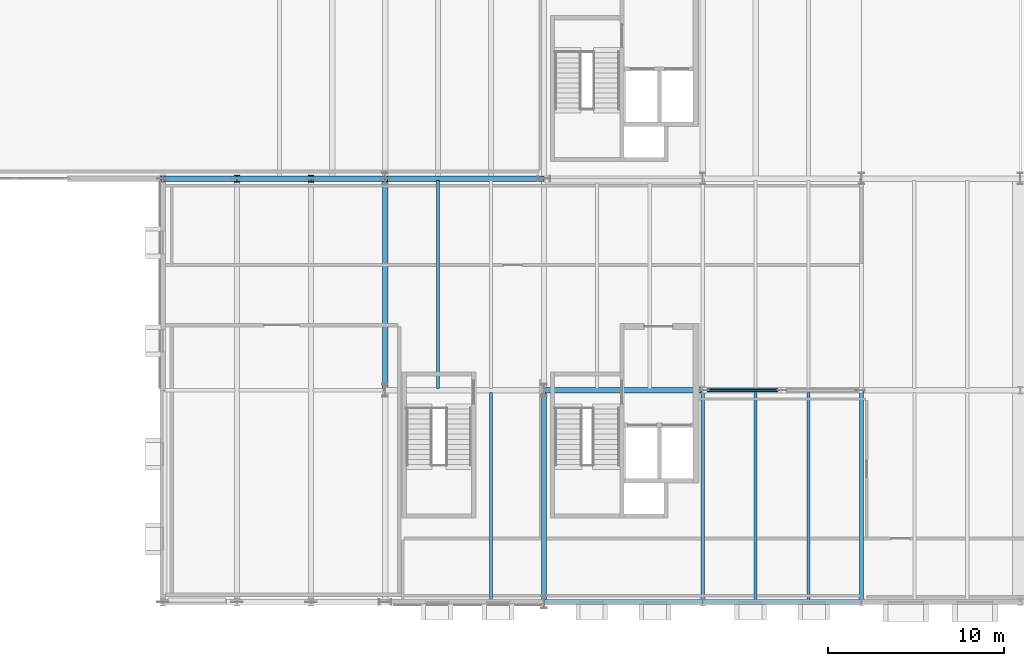
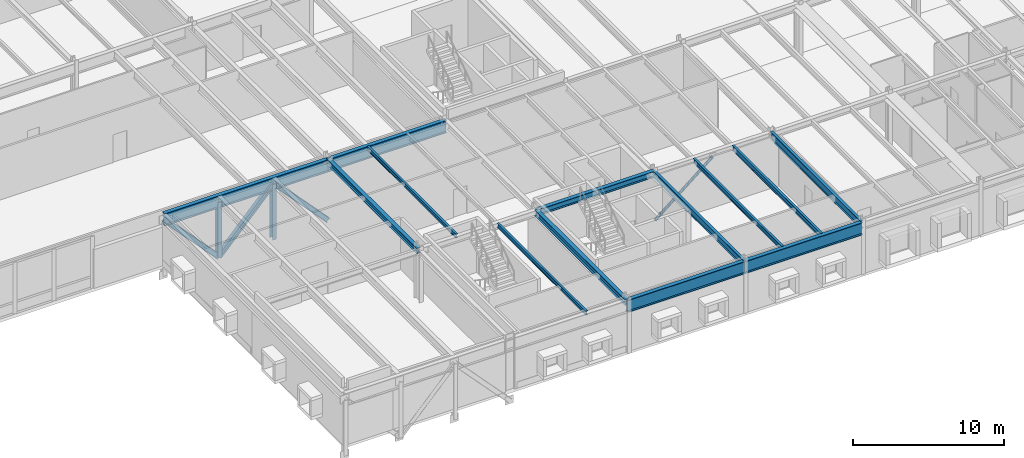
# One storey, part 18 of 115: 13 beams, 6 members.
"""IFC4 building model written with IfcOpenShell, lengths in metres."""

from ifc_helpers import new_model, si_unit, direction, frame, origin, origin_2d, place, context, subcontext, project, spatial, hollow_circle, i_section, extrude, material, material_profile, profile_set, type_object, element, save


model = new_model("IFC4")

# Units and contexts
model_context = context("Model", 3, precision=1e-05, world=origin(), true_north=direction((0.0, 1.0)))
body_context = subcontext(model_context, "Body", "Model", "MODEL_VIEW")
ifc_project = project(units=[si_unit("LENGTHUNIT", "METRE"), si_unit("AREAUNIT", "SQUARE_METRE"), si_unit("VOLUMEUNIT", "CUBIC_METRE"), si_unit("PLANEANGLEUNIT", "RADIAN"), si_unit("MASSUNIT", "GRAM", prefix="KILO")], contexts=[model_context])

# Site, building, storey
site_placement = place(None, origin())
site = spatial("IfcSite", under=ifc_project, at=site_placement, CompositionType="ELEMENT")
building_placement = place(site_placement, origin())
building = spatial("IfcBuilding", under=site, at=building_placement, Name="Montelvaro Courts of Justice", CompositionType="ELEMENT")
storey_placement = place(building_placement, frame((0.0, 0.0, 9.89990234375)))
storey = spatial("IfcBuildingStorey", under=building, at=storey_placement, Name="L02", CompositionType="ELEMENT", Elevation=9.89990234375)

# Beams
ifc_material = material(Name="Steel S355", Category="steel")
ifc_material_profile_1 = material_profile(ifc_material, i_section(OverallWidth=0.300048828125, OverallDepth=0.43994140625, WebThickness=0.011474609375, FlangeThickness=0.02099609375, at=origin_2d()), Name="HEA 450")
ifc_profile_set_1 = profile_set([ifc_material_profile_1], Name="Steel S355")
beam_type_1 = type_object("IfcBeamType", Name="Beam_HEA450", PredefinedType="USERDEFINED", material=ifc_profile_set_1)
beam_1_placement = place(storey_placement, frame((45.0, 12.0, 3.960205078125), z_axis=(0.0, 1.0, 0.0), x_axis=(-1.0, 0.0, 0.0)))
element("IfcBeam", 1, at=beam_1_placement, inside=storey, type_object=beam_type_1, Name="Beam B-18 L02", ObjectType="GIRDER", PredefinedType="USERDEFINED", context=body_context, shape_type="SweptSolid", body=[
    extrude(i_section(OverallWidth=0.300048828125, OverallDepth=0.43994140625, WebThickness=0.011474609375, FlangeThickness=0.02099609375, at=origin_2d()), origin(), (0.0, 0.0, 1.0), 12.0),
])
ifc_material_profile_2 = material_profile(ifc_material, i_section(OverallWidth=0.300048828125, OverallDepth=0.489990234375, WebThickness=0.011962890625, FlangeThickness=0.02294921875, at=origin_2d()), Name="HEA 500")
ifc_profile_set_2 = profile_set([ifc_material_profile_2], Name="Steel S355")
beam_type_2 = type_object("IfcBeamType", Name="Beam_HEA500", PredefinedType="USERDEFINED", material=ifc_profile_set_2)
beam_2_placement = place(storey_placement, frame((54.0, 0.0, 3.93505859375), z_axis=(0.0, 1.0, 0.0), x_axis=(-1.0, 0.0, 0.0)))
element("IfcBeam", 2, at=beam_2_placement, inside=storey, type_object=beam_type_2, Name="Beam B-19 L02", ObjectType="GIRDER", PredefinedType="USERDEFINED", context=body_context, shape_type="SweptSolid", body=[
    extrude(i_section(OverallWidth=0.300048828125, OverallDepth=0.489990234375, WebThickness=0.011962890625, FlangeThickness=0.02294921875, at=origin_2d()), origin(), (0.0, 0.0, 1.0), 12.0),
])
ifc_material_profile_3 = material_profile(ifc_material, i_section(OverallWidth=0.300048828125, OverallDepth=0.5, WebThickness=0.014404296875, FlangeThickness=0.028076171875, at=origin_2d()), Name="HEB 500")
ifc_profile_set_3 = profile_set([ifc_material_profile_3], Name="Steel S355")
beam_type_3 = type_object("IfcBeamType", Name="Beam_HEB500", PredefinedType="USERDEFINED", material=ifc_profile_set_3)
beam_3_placement = place(storey_placement, frame((54.0, 12.0, 3.93017578125), z_axis=(1.0, 0.0, 0.0), x_axis=(0.0, 1.0, 0.0)))
element("IfcBeam", 3, at=beam_3_placement, inside=storey, type_object=beam_type_3, Name="Beam B-25 L02", ObjectType="GIRDER", PredefinedType="USERDEFINED", context=body_context, shape_type="SweptSolid", body=[
    extrude(i_section(OverallWidth=0.300048828125, OverallDepth=0.5, WebThickness=0.014404296875, FlangeThickness=0.028076171875, at=origin_2d()), origin(), (0.0, 0.0, 1.0), 9.0),
])
ifc_material_profile_4 = material_profile(ifc_material, i_section(OverallWidth=0.302001953125, OverallDepth=1.008056640625, WebThickness=0.02099609375, FlangeThickness=0.0400390625, at=origin_2d()), Name="HEM 1000")
ifc_profile_set_4 = profile_set([ifc_material_profile_4], Name="Steel S355")
beam_type_4 = type_object("IfcBeamType", Name="Beam_HEM1000", PredefinedType="USERDEFINED", material=ifc_profile_set_4)
for number, where, z_axis, x_axis, name in (
    (4, (72.0, 0.0, 3.656005859375), (-1.0, 0.0, 0.0), (0.0, -1.0, 0.0), "Pratt Cantilever Truss Chord CTR-BAR1-S-L03-BS1"),
    (5, (63.0, 0.0, 3.656005859375), (-1.0, 0.0, 0.0), (0.0, -1.0, 0.0), "Pratt Cantilever Truss Chord CTR-BAR1-S-L03-BS2"),
    (6, (54.0, 24.0, 3.656005859375), (-1.0, 0.0, 0.0), (0.0, -1.0, 0.0), "Pratt Cantilever Truss Chord CTR-BAR1-N-L03-BS3"),
):
    element("IfcBeam", number, at=place(storey_placement, frame(where, z_axis=z_axis, x_axis=x_axis)), inside=storey, type_object=beam_type_4, Name=name, ObjectType="GIRDER", PredefinedType="USERDEFINED", context=body_context, shape_type="SweptSolid", body=[
        extrude(i_section(OverallWidth=0.302001953125, OverallDepth=1.008056640625, WebThickness=0.02099609375, FlangeThickness=0.0400390625, at=origin_2d()), origin(), (0.0, 0.0, 1.0), 9.0),
    ])
beam_4_placement = place(storey_placement, frame((45.0, 24.0, 3.656005859375), z_axis=(-1.0, 0.0, 0.0), x_axis=(0.0, -1.0, 0.0)))
element("IfcBeam", 7, at=beam_4_placement, inside=storey, type_object=beam_type_4, Name="Pratt Cantilever Truss Chord CTR-BAR1-N-L03-OVH", ObjectType="GIRDER", PredefinedType="USERDEFINED", context=body_context, shape_type="SweptSolid", body=[
    extrude(i_section(OverallWidth=0.302001953125, OverallDepth=1.008056640625, WebThickness=0.02099609375, FlangeThickness=0.0400390625, at=origin_2d()), origin(), (0.0, 0.0, 1.0), 12.60009765625),
])
ifc_material_profile_5 = material_profile(ifc_material, i_section(OverallWidth=0.159912109375, OverallDepth=0.330078125, WebThickness=0.007568359375, FlangeThickness=0.011474609375, at=origin_2d()), Name="IPE 330")
ifc_profile_set_5 = profile_set([ifc_material_profile_5], Name="Steel S355")
beam_type_5 = type_object("IfcBeamType", Name="Beam_IPE330", PredefinedType="BEAM", material=ifc_profile_set_5)
for number, where, z_axis, x_axis, name in (
    (8, (51.0, 0.110107421875, 4.01513671875), (0.0, 1.0, 0.0), (-1.0, 0.0, 0.0), "Beam B-06 L02"),
    (9, (48.0, 12.110107421875, 4.01513671875), (0.0, 1.0, 0.0), (-1.0, 0.0, 0.0), "Beam B-06 L02"),
):
    element("IfcBeam", number, at=place(storey_placement, frame(where, z_axis=z_axis, x_axis=x_axis)), inside=storey, type_object=beam_type_5, Name=name, PredefinedType="BEAM", context=body_context, shape_type="SweptSolid", body=[
        extrude(i_section(OverallWidth=0.159912109375, OverallDepth=0.330078125, WebThickness=0.007568359375, FlangeThickness=0.011474609375, at=origin_2d()), origin(), (0.0, 0.0, 1.0), 11.77978515625),
    ])
ifc_material_profile_6 = material_profile(ifc_material, i_section(OverallWidth=0.169921875, OverallDepth=0.360107421875, WebThickness=0.008056640625, FlangeThickness=0.0126953125, at=origin_2d()), Name="IPE 360")
ifc_profile_set_6 = profile_set([ifc_material_profile_6], Name="Steel S355")
beam_type_6 = type_object("IfcBeamType", Name="Beam_IPE360", PredefinedType="BEAM", material=ifc_profile_set_6)
beam_5_placement = place(storey_placement, frame((66.0, 0.110107421875, 4.0), z_axis=(0.0, 1.0, 0.0), x_axis=(-1.0, 0.0, 0.0)))
element("IfcBeam", 10, at=beam_5_placement, inside=storey, type_object=beam_type_6, Name="Beam B-07 L02", PredefinedType="BEAM", context=body_context, shape_type="SweptSolid", body=[
    extrude(i_section(OverallWidth=0.169921875, OverallDepth=0.360107421875, WebThickness=0.008056640625, FlangeThickness=0.0126953125, at=origin_2d()), origin(), (0.0, 0.0, 1.0), 11.77978515625),
])
ifc_material_profile_7 = material_profile(ifc_material, i_section(OverallWidth=0.179931640625, OverallDepth=0.39990234375, WebThickness=0.008544921875, FlangeThickness=0.013427734375, at=origin_2d()), Name="IPE 400")
ifc_profile_set_7 = profile_set([ifc_material_profile_7], Name="Steel S355")
beam_type_7 = type_object("IfcBeamType", Name="Beam_IPE400", PredefinedType="BEAM", material=ifc_profile_set_7)
beam_6_placement = place(storey_placement, frame((69.0, 0.110107421875, 3.97998046875), z_axis=(0.0, 1.0, 0.0), x_axis=(-1.0, 0.0, 0.0)))
element("IfcBeam", 11, at=beam_6_placement, inside=storey, type_object=beam_type_7, Name="Beam B-08 L02", PredefinedType="BEAM", context=body_context, shape_type="SweptSolid", body=[
    extrude(i_section(OverallWidth=0.179931640625, OverallDepth=0.39990234375, WebThickness=0.008544921875, FlangeThickness=0.013427734375, at=origin_2d()), origin(), (0.0, 0.0, 1.0), 11.77978515625),
])
ifc_material_profile_8 = material_profile(ifc_material, i_section(OverallWidth=0.2099609375, OverallDepth=0.550048828125, WebThickness=0.010986328125, FlangeThickness=0.01708984375, at=origin_2d()), Name="IPE 550")
ifc_profile_set_8 = profile_set([ifc_material_profile_8], Name="Steel S355")
beam_type_8 = type_object("IfcBeamType", Name="Beam_IPE550", PredefinedType="BEAM", material=ifc_profile_set_8)
beam_7_placement = place(storey_placement, frame((63.0, 0.0, 3.905029296875), z_axis=(0.0, 1.0, 0.0), x_axis=(-1.0, 0.0, 0.0)))
element("IfcBeam", 12, at=beam_7_placement, inside=storey, type_object=beam_type_8, Name="Beam B-11 L02", PredefinedType="BEAM", context=body_context, shape_type="SweptSolid", body=[
    extrude(i_section(OverallWidth=0.2099609375, OverallDepth=0.550048828125, WebThickness=0.010986328125, FlangeThickness=0.01708984375, at=origin_2d()), origin(), (0.0, 0.0, 1.0), 12.0),
])
ifc_material_profile_9 = material_profile(ifc_material, i_section(OverallWidth=0.219970703125, OverallDepth=0.60009765625, WebThickness=0.011962890625, FlangeThickness=0.01904296875, at=origin_2d()), Name="IPE 600")
ifc_profile_set_9 = profile_set([ifc_material_profile_9], Name="Steel S355")
beam_type_9 = type_object("IfcBeamType", Name="Beam_IPE600", PredefinedType="USERDEFINED", material=ifc_profile_set_9)
beam_8_placement = place(storey_placement, frame((72.0, 0.0, 3.880126953125), z_axis=(0.0, 1.0, 0.0), x_axis=(-1.0, 0.0, 0.0)))
element("IfcBeam", 13, at=beam_8_placement, inside=storey, type_object=beam_type_9, Name="Beam B-12 L02", ObjectType="GIRDER", PredefinedType="USERDEFINED", context=body_context, shape_type="SweptSolid", body=[
    extrude(i_section(OverallWidth=0.219970703125, OverallDepth=0.60009765625, WebThickness=0.011962890625, FlangeThickness=0.01904296875, at=origin_2d()), origin(), (0.0, 0.0, 1.0), 12.0),
])

# Members
ifc_material_profile_10 = material_profile(ifc_material, hollow_circle(Radius=0.109619140625, WallThickness=0.010009765625, at=origin_2d()), Name="CHS 219.1x10")
ifc_profile_set_10 = profile_set([ifc_material_profile_10], Name="Steel S355")
member_type_1 = type_object("IfcMemberType", Name="Mem_CHS219_Brace", PredefinedType="BRACE", material=ifc_profile_set_10)
member_placement = place(storey_placement, frame((63.080078125, 12.0, 0.080078125), z_axis=(0.77362972068, 0.0, 0.633637952841), x_axis=(0.0, 1.0, 0.0)))
element("IfcMember", 14, at=member_placement, inside=storey, type_object=member_type_1, Name="Lateral Braced Frame CBF1 Diagonal 1 (L02)", PredefinedType="BRACE", context=body_context, shape_type="SweptSolid", body=[
    extrude(hollow_circle(Radius=0.109619140625, WallThickness=0.010009765625, at=origin_2d()), origin(), (0.0, 0.0, 1.0), 5.713134765625),
])
ifc_material_profile_11 = material_profile(ifc_material, i_section(OverallWidth=0.300048828125, OverallDepth=0.360107421875, WebThickness=0.012451171875, FlangeThickness=0.0224609375, at=origin_2d()), Name="HEB 360")
ifc_profile_set_11 = profile_set([ifc_material_profile_11], Name="Steel S355")
member_type_2 = type_object("IfcMemberType", Name="Mem_HEB360_Brace", PredefinedType="BRACE", material=ifc_profile_set_11)
for number, where, z_axis, x_axis, name in (
    (15, (45.0, 24.0, -0.843994140625), (-0.682314010889, 0.0, 0.73105922506), (0.0, -1.0, 0.0), "Pratt Cantilever Truss Diagonal MB-01 CTR-BAR1-N-L02-D4"),
    (16, (40.800048828125, 24.0, 3.656005859375), (-0.682314010889, 0.0, -0.73105922506), (0.0, -1.0, 0.0), "Pratt Cantilever Truss Diagonal MB-01 CTR-BAR1-N-L02-D5"),
    (17, (36.60009765625, 24.0, -0.843994140625), (-0.682335207557, 0.0, 0.731039441158), (0.0, -1.0, 0.0), "Pratt Cantilever Truss Diagonal MB-01 CTR-BAR1-N-L02-D6"),
):
    element("IfcMember", number, at=place(storey_placement, frame(where, z_axis=z_axis, x_axis=x_axis)), inside=storey, type_object=member_type_2, Name=name, PredefinedType="BRACE", context=body_context, shape_type="SweptSolid", body=[
        extrude(i_section(OverallWidth=0.300048828125, OverallDepth=0.360107421875, WebThickness=0.012451171875, FlangeThickness=0.0224609375, at=origin_2d()), origin(), (0.0, 0.0, 1.0), 6.155517578125),
    ])
ifc_material_profile_12 = material_profile(ifc_material, i_section(OverallWidth=0.300048828125, OverallDepth=0.39990234375, WebThickness=0.013427734375, FlangeThickness=0.02392578125, at=origin_2d()), Name="HEB 400")
ifc_profile_set_12 = profile_set([ifc_material_profile_12], Name="Steel S355")
member_type_3 = type_object("IfcMemberType", Name="Mem_HEB400_Post", PredefinedType="POST", material=ifc_profile_set_12)
for number, where, z_axis, x_axis, name in (
    (18, (40.800048828125, 24.0, -0.843994140625), (0.0, 0.0, 1.0), (1.0, 0.0, 0.0), "Pratt Cantilever Truss Post MP-01 CTR-BAR1-N-L02-1"),
    (19, (36.60009765625, 24.0, -0.843994140625), (0.0, 0.0, 1.0), (1.0, 0.0, 0.0), "Pratt Cantilever Truss Post MP-01 CTR-BAR1-N-L02-2"),
):
    element("IfcMember", number, at=place(storey_placement, frame(where, z_axis=z_axis, x_axis=x_axis)), inside=storey, type_object=member_type_3, Name=name, PredefinedType="POST", context=body_context, shape_type="SweptSolid", body=[
        extrude(i_section(OverallWidth=0.300048828125, OverallDepth=0.39990234375, WebThickness=0.013427734375, FlangeThickness=0.02392578125, at=origin_2d()), origin(), (0.0, 0.0, 1.0), 4.5),
    ])

save(model, "model.ifc")
